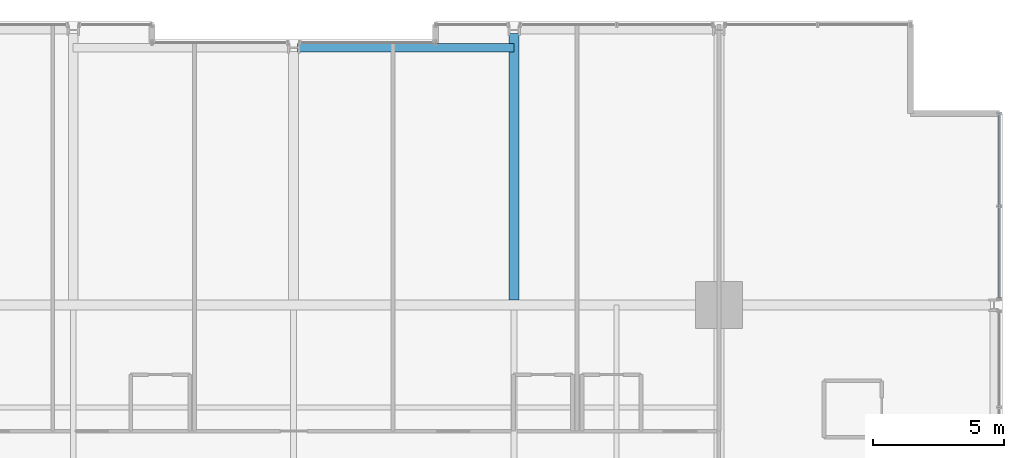
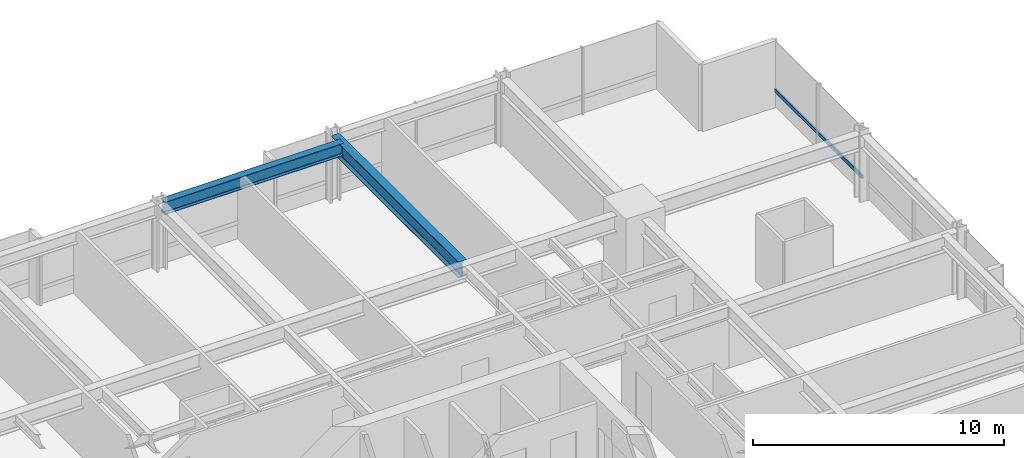
# One storey, part 26 of 38: 2 beams, 1 member, 1 element without a shape of its own.
"""IFC4 building model written with IfcOpenShell, lengths in metres."""

from ifc_helpers import new_model, si_unit, direction, frame, origin, origin_2d, place, context, subcontext, project, spatial, hollow_rectangle, i_section, extrude, material, layer, layer_set, material_profile, profile_set, type_object, element, aggregate, save


model = new_model("IFC4")

# Units and contexts
model_context = context("Model", 3, precision=1e-05, world=origin(), true_north=direction((0.0, 1.0)))
body_context = subcontext(model_context, "Body", "Model", "MODEL_VIEW")
ifc_project = project(units=[si_unit("LENGTHUNIT", "METRE"), si_unit("AREAUNIT", "SQUARE_METRE"), si_unit("VOLUMEUNIT", "CUBIC_METRE"), si_unit("PLANEANGLEUNIT", "RADIAN"), si_unit("MASSUNIT", "GRAM", prefix="KILO")], contexts=[model_context])

# Site, building, storey
site_placement = place(None, origin())
site = spatial("IfcSite", under=ifc_project, at=site_placement, CompositionType="ELEMENT")
building_placement = place(site_placement, origin())
building = spatial("IfcBuilding", under=site, at=building_placement, Name="Drelvath Grand Hotel", CompositionType="ELEMENT")
storey_placement = place(building_placement, frame((0.0, 0.0, 61.199951171875)))
storey = spatial("IfcBuildingStorey", under=building, at=storey_placement, Name="L14", CompositionType="ELEMENT", Elevation=61.199951171875)

# Curtain wall, member
ifc_material_1 = material(Name="Warm Bronze Anodised Aluminium Frame", Category="aluminium")
ifc_layer = layer(ifc_material_1, 0.199951171875)
ifc_layer_set = layer_set([ifc_layer], Name="Warm Bronze Anodised Aluminium Frame")
curtain_wall_type = type_object("IfcCurtainWallType", Name="Stick Curtain Wall CW-02 Warm Bronze Low-Rise", PredefinedType="NOTDEFINED", material=ifc_layer_set)
curtain_wall_placement = place(storey_placement, origin())
curtain_wall = element("IfcCurtainWall", 1, at=curtain_wall_placement, inside=storey, type_object=curtain_wall_type, Name="L14 CW-02 Curtain Wall CW02-L14-EN3", PredefinedType="NOTDEFINED")
ifc_material_profile_1 = material_profile(ifc_material_1, hollow_rectangle(XDim=0.074951171875, YDim=0.179931640625, WallThickness=0.0048828125, at=origin_2d()), Name="HSS180X75X5")
ifc_profile_set_1 = profile_set([ifc_material_profile_1], Name="Warm Bronze Anodised Aluminium Frame")
member_type = type_object("IfcMemberType", Name="Curtain Wall Horizontal Transom CW-02 HSS180X75X5", PredefinedType="USERDEFINED", material=ifc_profile_set_1)
member_placement = place(storey_placement, frame((26.8798828125, 50.4599609375, 0.81005859375), z_axis=(0.0, -1.0, 0.0), x_axis=(1.0, 0.0, 0.0)))
member = element("IfcMember", 2, at=member_placement, type_object=member_type, Name="CW02-L14-EN3 Sill Transom", ObjectType="TRANSOM", PredefinedType="USERDEFINED", context=body_context, shape_type="SweptSolid", body=[
    extrude(hollow_rectangle(XDim=0.074951171875, YDim=0.179931640625, WallThickness=0.0048828125, at=origin_2d()), origin(), (0.0, 0.0, 1.0), 6.990966796875),
])
aggregate(curtain_wall, [member])

# Beams
ifc_material_2 = material(Name="Steel ASTM A992 Gr 50", Category="steel")
ifc_material_profile_2 = material_profile(ifc_material_2, i_section(OverallWidth=0.323974609375, OverallDepth=0.611083984375, WebThickness=0.0126953125, FlangeThickness=0.01904296875, FilletRadius=0.02197265625, at=origin_2d()), Name="W24X104")
ifc_profile_set_2 = profile_set([ifc_material_profile_2], Name="Steel ASTM A992 Gr 50")
beam_type_1 = type_object("IfcBeamType", Name="Perimeter Spandrel Beam W24X104", PredefinedType="SPANDREL", material=ifc_profile_set_2)
beam_1_placement = place(storey_placement, frame((0.139892578125, 53.0, 2.9345703125), z_axis=(1.0, 0.0, 0.0), x_axis=(0.0, 1.0, 0.0)))
element("IfcBeam", 3, at=beam_1_placement, inside=storey, type_object=beam_type_1, Name="L14 Spandrel North Mid E", PredefinedType="SPANDREL", context=body_context, shape_type="SweptSolid", body=[
    extrude(i_section(OverallWidth=0.323974609375, OverallDepth=0.611083984375, WebThickness=0.0126953125, FlangeThickness=0.01904296875, FilletRadius=0.02197265625, at=origin_2d()), origin(), (0.0, 0.0, 1.0), 8.260009765625),
])
ifc_material_profile_3 = material_profile(ifc_material_2, i_section(OverallWidth=0.380615234375, OverallDepth=0.773193359375, WebThickness=0.0166015625, FlangeThickness=0.027099609375, FilletRadius=0.02490234375, at=origin_2d()), Name="W30X173")
ifc_profile_set_3 = profile_set([ifc_material_profile_3], Name="Steel ASTM A992 Gr 50")
beam_type_2 = type_object("IfcBeamType", Name="Primary Floor Girder W30X173", PredefinedType="BEAM", material=ifc_profile_set_3)
beam_2_placement = place(storey_placement, frame((8.39990234375, 43.390380859375, 2.853515625), z_axis=(0.0, 1.0, 0.0), x_axis=(-1.0, 0.0, 0.0)))
element("IfcBeam", 4, at=beam_2_placement, inside=storey, type_object=beam_type_2, Name="L14 North Wing Girder 6", PredefinedType="BEAM", context=body_context, shape_type="SweptSolid", body=[
    extrude(i_section(OverallWidth=0.380615234375, OverallDepth=0.773193359375, WebThickness=0.0166015625, FlangeThickness=0.027099609375, FilletRadius=0.02490234375, at=origin_2d()), origin(), (0.0, 0.0, 1.0), 10.149658203125),
])

save(model, "model.ifc")
